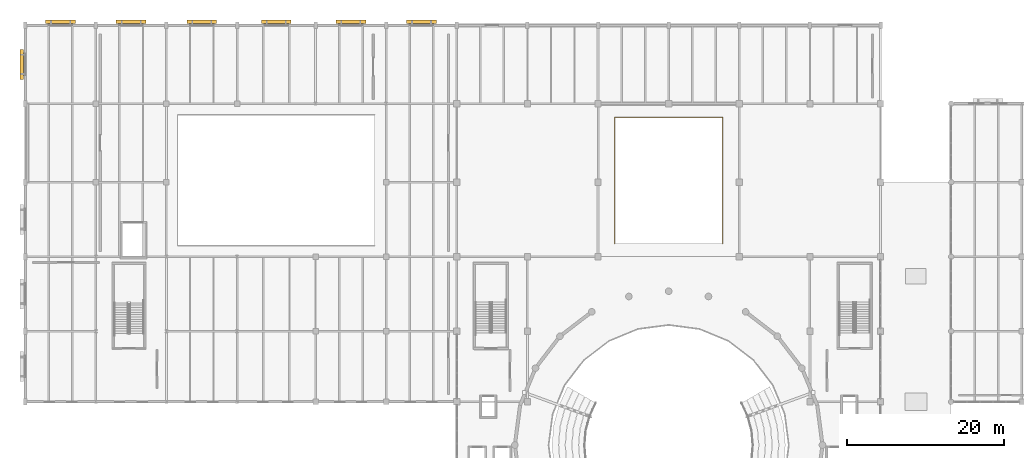
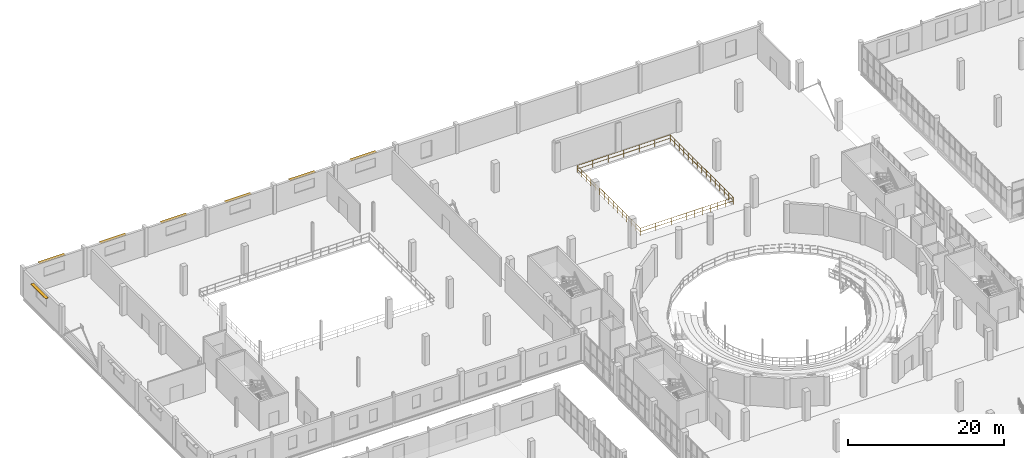
# One storey, part 90 of 93: 7 shading devices, 1 railing.
"""IFC4 building model written with IfcOpenShell, lengths in metres."""

from ifc_helpers import new_model, si_unit, direction, frame, origin, origin_2d, place, context, subcontext, project, spatial, rectangle, circle, extrude, material, layer, layer_set, type_object, element, save


model = new_model("IFC4")

# Units and contexts
model_context = context("Model", 3, precision=1e-05, world=origin(), true_north=direction((0.0, 1.0)))
body_context = subcontext(model_context, "Body", "Model", "MODEL_VIEW")
ifc_project = project(units=[si_unit("LENGTHUNIT", "METRE"), si_unit("AREAUNIT", "SQUARE_METRE"), si_unit("VOLUMEUNIT", "CUBIC_METRE"), si_unit("PLANEANGLEUNIT", "RADIAN"), si_unit("MASSUNIT", "GRAM", prefix="KILO")], contexts=[model_context])

# Site, building, storey
site_placement = place(None, origin())
site = spatial("IfcSite", under=ifc_project, at=site_placement, CompositionType="ELEMENT")
building_placement = place(site_placement, origin())
building = spatial("IfcBuilding", under=site, at=building_placement, Name="Marnock Terrace Opera House", CompositionType="ELEMENT")
storey_placement = place(building_placement, frame((0.0, 0.0, 5.39990234375)))
storey = spatial("IfcBuildingStorey", under=building, at=storey_placement, Name="L01", CompositionType="ELEMENT", Elevation=5.39990234375)

# Railing
ifc_material_1 = material(Name="Architectural bronze balustrade")
railing_type = type_object("IfcRailingType", Name="RL-ATRIUM-1120", PredefinedType="BALUSTRADE", material=ifc_material_1)
railing_placement = place(storey_placement, frame((75.1201171875, 86.1201171875, 0.0)))
element("IfcRailing", 1, at=railing_placement, inside=storey, type_object=railing_type, Name="L01 floor opening balustrade FLY-VOID", PredefinedType="BALUSTRADE", context=body_context, shape_type="SweptSolid", body=[
    extrude(circle(Radius=0.02392578125, at=origin_2d()), frame((0.0, 0.0, 1.09619140625), z_axis=(1.0, 0.0, 0.0), x_axis=(0.0, 1.0, 0.0)), (0.0, 0.0, 1.0), 13.759765625),
    extrude(circle(Radius=0.02392578125, at=origin_2d()), frame((0.0, 0.0, 0.56005859375), z_axis=(1.0, 0.0, 0.0), x_axis=(0.0, 1.0, 0.0)), (0.0, 0.0, 1.0), 13.759765625),
    extrude(circle(Radius=0.02392578125, at=origin_2d()), frame((13.759765625, 0.0, 1.09619140625), z_axis=(0.0, 1.0, 0.0), x_axis=(-1.0, 0.0, 0.0)), (0.0, 0.0, 1.0), 16.159912109375),
    extrude(circle(Radius=0.02392578125, at=origin_2d()), frame((13.759765625, 0.0, 0.56005859375), z_axis=(0.0, 1.0, 0.0), x_axis=(-1.0, 0.0, 0.0)), (0.0, 0.0, 1.0), 16.159912109375),
    extrude(circle(Radius=0.02392578125, at=origin_2d()), frame((13.759765625, 16.159912109375, 1.09619140625), z_axis=(-1.0, 0.0, 0.0), x_axis=(0.0, -1.0, 0.0)), (0.0, 0.0, 1.0), 13.759765625),
    extrude(circle(Radius=0.02392578125, at=origin_2d()), frame((13.759765625, 16.159912109375, 0.56005859375), z_axis=(-1.0, 0.0, 0.0), x_axis=(0.0, -1.0, 0.0)), (0.0, 0.0, 1.0), 13.759765625),
    extrude(circle(Radius=0.02392578125, at=origin_2d()), frame((0.0, 16.159912109375, 1.09619140625), z_axis=(0.0, -1.0, 0.0), x_axis=(1.0, 0.0, 0.0)), (0.0, 0.0, 1.0), 16.159912109375),
    extrude(circle(Radius=0.02392578125, at=origin_2d()), frame((0.0, 16.159912109375, 0.56005859375), z_axis=(0.0, -1.0, 0.0), x_axis=(1.0, 0.0, 0.0)), (0.0, 0.0, 1.0), 16.159912109375),
    extrude(circle(Radius=0.02099609375, at=origin_2d()), origin(), (0.0, 0.0, 1.0), 1.072021484375),
    extrude(circle(Radius=0.02099609375, at=origin_2d()), frame((1.146728515625, 0.0, 0.0)), (0.0, 0.0, 1.0), 1.072021484375),
    extrude(circle(Radius=0.02099609375, at=origin_2d()), frame((2.293212890625, 0.0, 0.0)), (0.0, 0.0, 1.0), 1.072021484375),
    extrude(circle(Radius=0.02099609375, at=origin_2d()), frame((3.43994140625, 0.0, 0.0)), (0.0, 0.0, 1.0), 1.072021484375),
    extrude(circle(Radius=0.02099609375, at=origin_2d()), frame((4.586669921875, 0.0, 0.0)), (0.0, 0.0, 1.0), 1.072021484375),
    extrude(circle(Radius=0.02099609375, at=origin_2d()), frame((5.733154296875, 0.0, 0.0)), (0.0, 0.0, 1.0), 1.072021484375),
    extrude(circle(Radius=0.02099609375, at=origin_2d()), frame((6.8798828125, 0.0, 0.0)), (0.0, 0.0, 1.0), 1.072021484375),
    extrude(circle(Radius=0.02099609375, at=origin_2d()), frame((8.026611328125, 0.0, 0.0)), (0.0, 0.0, 1.0), 1.072021484375),
    extrude(circle(Radius=0.02099609375, at=origin_2d()), frame((9.173095703125, 0.0, 0.0)), (0.0, 0.0, 1.0), 1.072021484375),
    extrude(circle(Radius=0.02099609375, at=origin_2d()), frame((10.31982421875, 0.0, 0.0)), (0.0, 0.0, 1.0), 1.072021484375),
    extrude(circle(Radius=0.02099609375, at=origin_2d()), frame((11.466552734375, 0.0, 0.0)), (0.0, 0.0, 1.0), 1.072021484375),
    extrude(circle(Radius=0.02099609375, at=origin_2d()), frame((12.613037109375, 0.0, 0.0)), (0.0, 0.0, 1.0), 1.072021484375),
    extrude(circle(Radius=0.02099609375, at=origin_2d()), frame((13.759765625, 0.0, 0.0)), (0.0, 0.0, 1.0), 1.072021484375),
    extrude(circle(Radius=0.02099609375, at=origin_2d()), frame((13.759765625, 1.154296875, 0.0)), (0.0, 0.0, 1.0), 1.072021484375),
    extrude(circle(Radius=0.02099609375, at=origin_2d()), frame((13.759765625, 2.30859375, 0.0)), (0.0, 0.0, 1.0), 1.072021484375),
    extrude(circle(Radius=0.02099609375, at=origin_2d()), frame((13.759765625, 3.462890625, 0.0)), (0.0, 0.0, 1.0), 1.072021484375),
    extrude(circle(Radius=0.02099609375, at=origin_2d()), frame((13.759765625, 4.6171875, 0.0)), (0.0, 0.0, 1.0), 1.072021484375),
    extrude(circle(Radius=0.02099609375, at=origin_2d()), frame((13.759765625, 5.771484375, 0.0)), (0.0, 0.0, 1.0), 1.072021484375),
    extrude(circle(Radius=0.02099609375, at=origin_2d()), frame((13.759765625, 6.92578125, 0.0)), (0.0, 0.0, 1.0), 1.072021484375),
    extrude(circle(Radius=0.02099609375, at=origin_2d()), frame((13.759765625, 8.080078125, 0.0)), (0.0, 0.0, 1.0), 1.072021484375),
    extrude(circle(Radius=0.02099609375, at=origin_2d()), frame((13.759765625, 9.234130859375, 0.0)), (0.0, 0.0, 1.0), 1.072021484375),
    extrude(circle(Radius=0.02099609375, at=origin_2d()), frame((13.759765625, 10.388427734375, 0.0)), (0.0, 0.0, 1.0), 1.072021484375),
    extrude(circle(Radius=0.02099609375, at=origin_2d()), frame((13.759765625, 11.542724609375, 0.0)), (0.0, 0.0, 1.0), 1.072021484375),
    extrude(circle(Radius=0.02099609375, at=origin_2d()), frame((13.759765625, 12.697021484375, 0.0)), (0.0, 0.0, 1.0), 1.072021484375),
    extrude(circle(Radius=0.02099609375, at=origin_2d()), frame((13.759765625, 13.851318359375, 0.0)), (0.0, 0.0, 1.0), 1.072021484375),
    extrude(circle(Radius=0.02099609375, at=origin_2d()), frame((13.759765625, 15.005615234375, 0.0)), (0.0, 0.0, 1.0), 1.072021484375),
    extrude(circle(Radius=0.02099609375, at=origin_2d()), frame((13.759765625, 16.159912109375, 0.0)), (0.0, 0.0, 1.0), 1.072021484375),
    extrude(circle(Radius=0.02099609375, at=origin_2d()), frame((12.613037109375, 16.159912109375, 0.0)), (0.0, 0.0, 1.0), 1.072021484375),
    extrude(circle(Radius=0.02099609375, at=origin_2d()), frame((11.466552734375, 16.159912109375, 0.0)), (0.0, 0.0, 1.0), 1.072021484375),
    extrude(circle(Radius=0.02099609375, at=origin_2d()), frame((10.31982421875, 16.159912109375, 0.0)), (0.0, 0.0, 1.0), 1.072021484375),
    extrude(circle(Radius=0.02099609375, at=origin_2d()), frame((9.173095703125, 16.159912109375, 0.0)), (0.0, 0.0, 1.0), 1.072021484375),
    extrude(circle(Radius=0.02099609375, at=origin_2d()), frame((8.026611328125, 16.159912109375, 0.0)), (0.0, 0.0, 1.0), 1.072021484375),
    extrude(circle(Radius=0.02099609375, at=origin_2d()), frame((6.8798828125, 16.159912109375, 0.0)), (0.0, 0.0, 1.0), 1.072021484375),
    extrude(circle(Radius=0.02099609375, at=origin_2d()), frame((5.733154296875, 16.159912109375, 0.0)), (0.0, 0.0, 1.0), 1.072021484375),
    extrude(circle(Radius=0.02099609375, at=origin_2d()), frame((4.586669921875, 16.159912109375, 0.0)), (0.0, 0.0, 1.0), 1.072021484375),
    extrude(circle(Radius=0.02099609375, at=origin_2d()), frame((3.43994140625, 16.159912109375, 0.0)), (0.0, 0.0, 1.0), 1.072021484375),
    extrude(circle(Radius=0.02099609375, at=origin_2d()), frame((2.293212890625, 16.159912109375, 0.0)), (0.0, 0.0, 1.0), 1.072021484375),
    extrude(circle(Radius=0.02099609375, at=origin_2d()), frame((1.146728515625, 16.159912109375, 0.0)), (0.0, 0.0, 1.0), 1.072021484375),
    extrude(circle(Radius=0.02099609375, at=origin_2d()), frame((0.0, 16.159912109375, 0.0)), (0.0, 0.0, 1.0), 1.072021484375),
    extrude(circle(Radius=0.02099609375, at=origin_2d()), frame((0.0, 15.005615234375, 0.0)), (0.0, 0.0, 1.0), 1.072021484375),
    extrude(circle(Radius=0.02099609375, at=origin_2d()), frame((0.0, 13.851318359375, 0.0)), (0.0, 0.0, 1.0), 1.072021484375),
    extrude(circle(Radius=0.02099609375, at=origin_2d()), frame((0.0, 12.697021484375, 0.0)), (0.0, 0.0, 1.0), 1.072021484375),
    extrude(circle(Radius=0.02099609375, at=origin_2d()), frame((0.0, 11.542724609375, 0.0)), (0.0, 0.0, 1.0), 1.072021484375),
    extrude(circle(Radius=0.02099609375, at=origin_2d()), frame((0.0, 10.388427734375, 0.0)), (0.0, 0.0, 1.0), 1.072021484375),
    extrude(circle(Radius=0.02099609375, at=origin_2d()), frame((0.0, 9.234130859375, 0.0)), (0.0, 0.0, 1.0), 1.072021484375),
    extrude(circle(Radius=0.02099609375, at=origin_2d()), frame((0.0, 8.080078125, 0.0)), (0.0, 0.0, 1.0), 1.072021484375),
    extrude(circle(Radius=0.02099609375, at=origin_2d()), frame((0.0, 6.92578125, 0.0)), (0.0, 0.0, 1.0), 1.072021484375),
    extrude(circle(Radius=0.02099609375, at=origin_2d()), frame((0.0, 5.771484375, 0.0)), (0.0, 0.0, 1.0), 1.072021484375),
    extrude(circle(Radius=0.02099609375, at=origin_2d()), frame((0.0, 4.6171875, 0.0)), (0.0, 0.0, 1.0), 1.072021484375),
    extrude(circle(Radius=0.02099609375, at=origin_2d()), frame((0.0, 3.462890625, 0.0)), (0.0, 0.0, 1.0), 1.072021484375),
    extrude(circle(Radius=0.02099609375, at=origin_2d()), frame((0.0, 2.30859375, 0.0)), (0.0, 0.0, 1.0), 1.072021484375),
    extrude(circle(Radius=0.02099609375, at=origin_2d()), frame((0.0, 1.154296875, 0.0)), (0.0, 0.0, 1.0), 1.072021484375),
])

# Shading devices
ifc_material_2 = material(Name="Architectural cast bronze")
ifc_layer = layer(ifc_material_2, 0.054931640625)
ifc_layer_set = layer_set([ifc_layer], Name="Architectural cast bronze")
shading_device_type = type_object("IfcShadingDeviceType", Name="SHD-LOUVRE-3800", PredefinedType="JALOUSIE", material=ifc_layer_set)
for number, where, z_axis, x_axis, name in (
    (2, (-0.43994140625, 109.0, 3.85400390625), (0.0, 0.0, 1.0), (0.0, 1.0, 0.0), "Adelaide sun-control bronze brise-soleil EW-V4W-L01-5"),
    (3, (4.5, 114.43994140625, 3.89404296875), (0.0, 0.0, 1.0), (1.0, 0.0, 0.0), "Adelaide sun-control bronze brise-soleil EW-V4N-L01-1"),
    (4, (13.5, 114.43994140625, 3.89404296875), (0.0, 0.0, 1.0), (1.0, 0.0, 0.0), "Adelaide sun-control bronze brise-soleil EW-V4N-L01-2"),
    (5, (22.5, 114.43994140625, 3.89404296875), (0.0, 0.0, 1.0), (1.0, 0.0, 0.0), "Adelaide sun-control bronze brise-soleil EW-V4N-L01-3"),
    (6, (32.0, 114.43994140625, 3.7919921875), (0.0, 0.0, 1.0), (1.0, 0.0, 0.0), "Adelaide sun-control bronze brise-soleil EW-V4N-L01-4"),
    (7, (41.5, 114.43994140625, 3.89404296875), (0.0, 0.0, 1.0), (1.0, 0.0, 0.0), "Adelaide sun-control bronze brise-soleil EW-V4N-L01-5"),
    (8, (50.5, 114.43994140625, 3.85400390625), (0.0, 0.0, 1.0), (1.0, 0.0, 0.0), "Adelaide sun-control bronze brise-soleil EW-V4N-L01-6"),
):
    element("IfcShadingDevice", number, at=place(storey_placement, frame(where, z_axis=z_axis, x_axis=x_axis)), inside=storey, type_object=shading_device_type, Name=name, PredefinedType="JALOUSIE", context=body_context, shape_type="SweptSolid", body=[
        extrude(rectangle(XDim=3.800048828125, YDim=0.449951171875, at=origin_2d()), origin(), (0.0, 0.0, 1.0), 0.054931640625),
    ])

save(model, "model.ifc")
